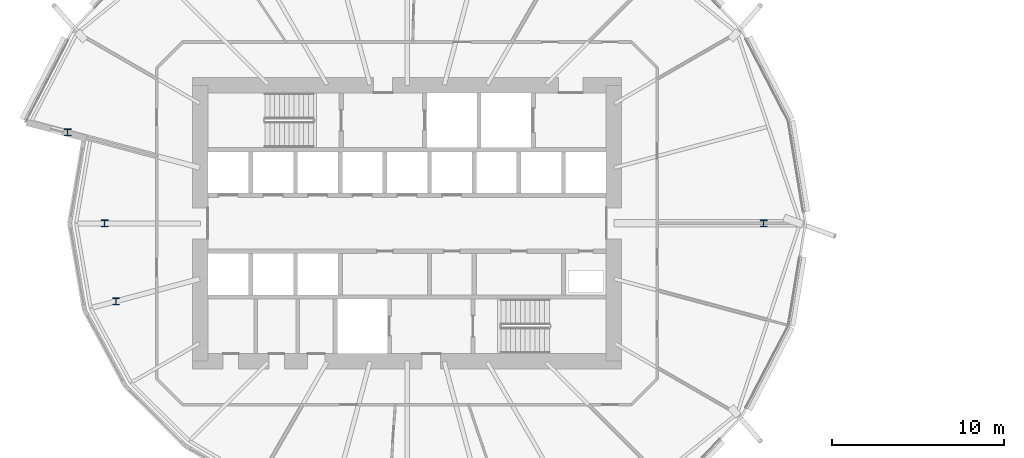
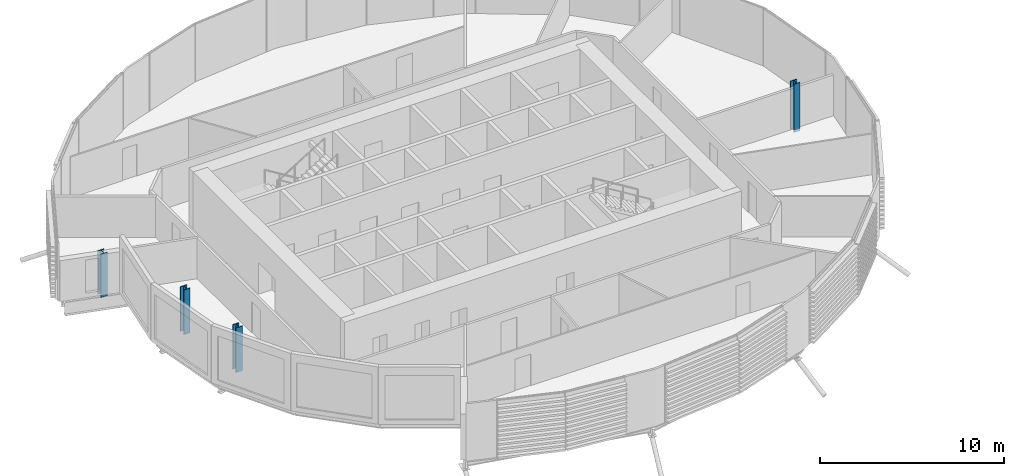
# One storey, part 1 of 38: 4 columns.
"""IFC4 building model written with IfcOpenShell, lengths in metres."""

from ifc_helpers import new_model, si_unit, direction, frame, origin, origin_2d, place, context, subcontext, project, spatial, i_section, extrude, material, material_profile, profile_set, type_object, element, save


model = new_model("IFC4")

# Units and contexts
model_context = context("Model", 3, precision=1e-05, world=origin(), true_north=direction((0.0, 1.0)))
body_context = subcontext(model_context, "Body", "Model", "MODEL_VIEW")
ifc_project = project(units=[si_unit("LENGTHUNIT", "METRE"), si_unit("AREAUNIT", "SQUARE_METRE"), si_unit("VOLUMEUNIT", "CUBIC_METRE"), si_unit("PLANEANGLEUNIT", "RADIAN"), si_unit("MASSUNIT", "GRAM", prefix="KILO")], contexts=[model_context])

# Site, building, storey
site_placement = place(None, origin())
site = spatial("IfcSite", under=ifc_project, at=site_placement, CompositionType="ELEMENT")
building_placement = place(site_placement, origin())
building = spatial("IfcBuilding", under=site, at=building_placement, Name="Rimbun Link Towers", CompositionType="ELEMENT")
storey_placement = place(building_placement, frame((0.0, 0.0, 56.60009765625)))
storey = spatial("IfcBuildingStorey", under=building, at=storey_placement, Name="L13", CompositionType="ELEMENT", Elevation=56.60009765625)

# Columns
ifc_material = material(Name="Steel S355J2", Category="steel")
ifc_material_profile = material_profile(ifc_material, i_section(OverallWidth=0.39892578125, OverallDepth=0.3935546875, WebThickness=0.022705078125, FlangeThickness=0.03662109375, at=origin_2d()), Name="UC 356x406x287")
ifc_profile_set = profile_set([ifc_material_profile], Name="Steel S355J2")
column_type = type_object("IfcColumnType", Name="UC 356x406x287", PredefinedType="COLUMN", material=ifc_profile_set)
column_1_placement = place(storey_placement, frame((-11.057373046875, 0.0, -0.16015625), z_axis=(0.0, 0.0, 1.0), x_axis=(1.0, 0.0, 0.0)))
element("IfcColumn", 1, at=column_1_placement, inside=storey, type_object=column_type, Name="Crease post T1 L13 00", PredefinedType="COLUMN", context=body_context, shape_type="SweptSolid", body=[
    extrude(i_section(OverallWidth=0.39892578125, OverallDepth=0.3935546875, WebThickness=0.022705078125, FlangeThickness=0.03662109375, at=origin_2d()), origin(), (0.0, 0.0, 1.0), 3.197509765625),
])
column_2_placement = place(storey_placement, frame((-51.45849609375, 5.281005859375, -0.16015625), z_axis=(0.0, 0.0, 1.0), x_axis=(1.0, 0.0, 0.0)))
element("IfcColumn", 2, at=column_2_placement, inside=storey, type_object=column_type, Name="Crease post T1 L13 11", PredefinedType="COLUMN", context=body_context, shape_type="SweptSolid", body=[
    extrude(i_section(OverallWidth=0.39892578125, OverallDepth=0.3935546875, WebThickness=0.022705078125, FlangeThickness=0.03662109375, at=origin_2d()), origin(), (0.0, 0.0, 1.0), 2.881591796875),
])
for number, where, z_axis, x_axis, name in (
    (3, (-49.312255859375, 0.0, -0.16015625), (0.0, 0.0, 1.0), (1.0, 0.0, 0.0), "Crease post T1 L13 12"),
    (4, (-48.650390625, -4.5283203125, -0.16015625), (0.0, 0.0, 1.0), (1.0, 0.0, 0.0), "Crease post T1 L13 13"),
):
    element("IfcColumn", number, at=place(storey_placement, frame(where, z_axis=z_axis, x_axis=x_axis)), inside=storey, type_object=column_type, Name=name, PredefinedType="COLUMN", context=body_context, shape_type="SweptSolid", body=[
        extrude(i_section(OverallWidth=0.39892578125, OverallDepth=0.3935546875, WebThickness=0.022705078125, FlangeThickness=0.03662109375, at=origin_2d()), origin(), (0.0, 0.0, 1.0), 2.95947265625),
    ])

save(model, "model.ifc")
